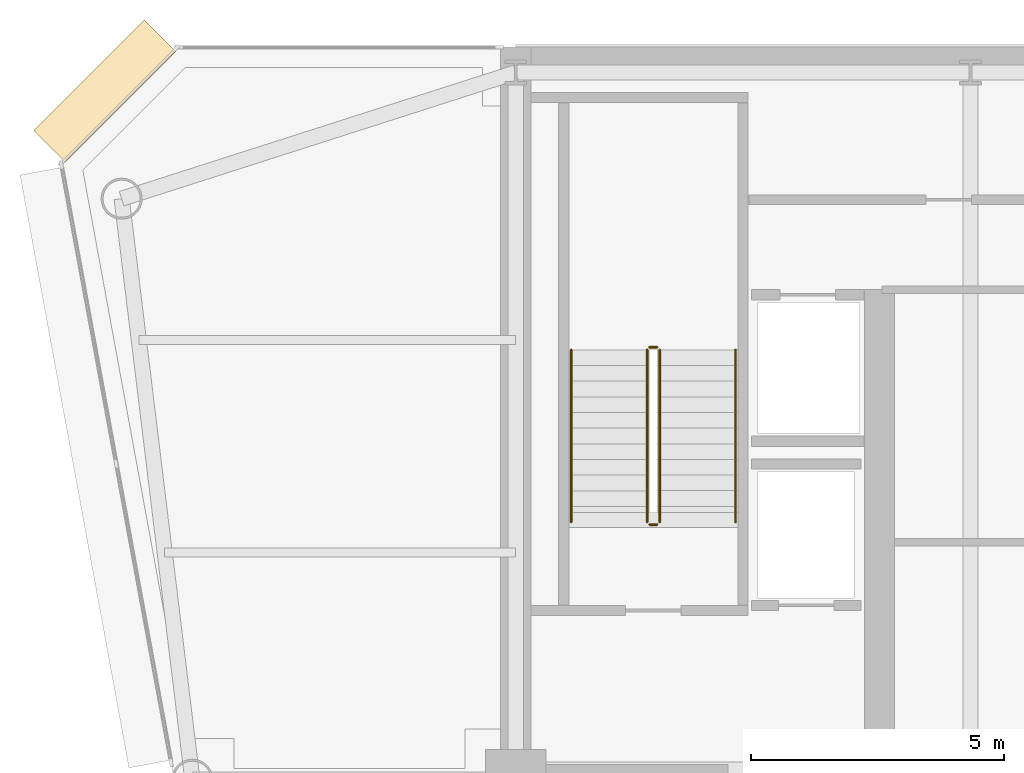
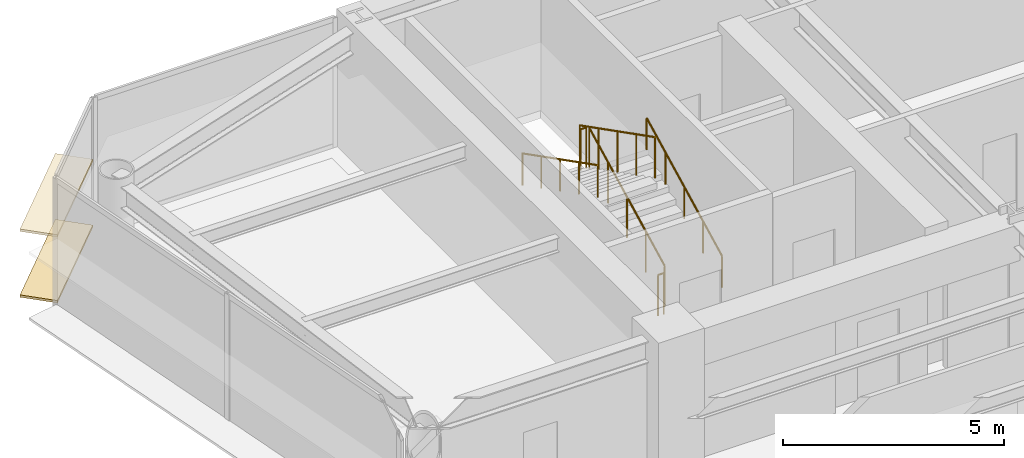
# One storey, part 14 of 16: 6 railings, 2 coverings.
"""IFC4 building model written with IfcOpenShell, lengths in metres."""

from ifc_helpers import new_model, si_unit, direction, frame, origin, origin_2d, place, context, subcontext, project, spatial, rectangle, circle, extrude, source, transform, mapped, material, layer, layer_set, type_object, element, save


model = new_model("IFC4")

# Units and contexts
model_context = context("Model", 3, precision=1e-05, world=origin(), true_north=direction((0.0, 1.0)))
body_context = subcontext(model_context, "Body", "Model", "MODEL_VIEW")
ifc_project = project(units=[si_unit("LENGTHUNIT", "METRE"), si_unit("AREAUNIT", "SQUARE_METRE"), si_unit("VOLUMEUNIT", "CUBIC_METRE"), si_unit("PLANEANGLEUNIT", "RADIAN"), si_unit("MASSUNIT", "GRAM", prefix="KILO")], contexts=[model_context])

# Site, building, storey
site_placement = place(None, origin())
site = spatial("IfcSite", under=ifc_project, at=site_placement, CompositionType="ELEMENT")
building_placement = place(site_placement, origin())
building = spatial("IfcBuilding", under=site, at=building_placement, Name="Vaeldorn Concourse Tower", CompositionType="ELEMENT")
storey_placement = place(building_placement, frame((0.0, 0.0, 195.60009765625)))
storey = spatial("IfcBuildingStorey", under=building, at=storey_placement, Name="L50", CompositionType="ELEMENT", Elevation=195.60009765625)

# Railings
ifc_material = material(Name="Anodised Bronze Aluminium", Category="aluminium")
railing_type_1 = type_object("IfcRailingType", Name="RL-STAIR-GUARD", PredefinedType="GUARDRAIL", material=ifc_material)
railing_1_placement = place(storey_placement, frame((16.85009765625, 41.60009765625, 0.158203125)))
element("IfcRailing", 1, at=railing_1_placement, inside=storey, type_object=railing_type_1, Name="L50 ST-1 stair guard 1", PredefinedType="GUARDRAIL", context=body_context, shape_type="SweptSolid", body=[
    extrude(circle(Radius=0.02392578125, at=origin_2d()), frame((0.0, 0.0, 1.1259765625), z_axis=(0.0, 0.890555807335, 0.454873997962), x_axis=(-1.0, 0.0, 0.0)), (0.0, 0.0, 1.0), 3.828857421875),
    extrude(circle(Radius=0.02099609375, at=origin_2d()), origin(), (0.0, 0.0, 1.0), 1.101806640625),
    extrude(circle(Radius=0.02099609375, at=origin_2d()), frame((0.0, 0.8525390625, 0.435546875)), (0.0, 0.0, 1.0), 1.101806640625),
    extrude(circle(Radius=0.02099609375, at=origin_2d()), frame((0.0, 1.705078125, 0.870849609375)), (0.0, 0.0, 1.0), 1.101806640625),
    extrude(circle(Radius=0.02099609375, at=origin_2d()), frame((0.0, 2.557373046875, 1.30615234375)), (0.0, 0.0, 1.0), 1.101806640625),
    extrude(circle(Radius=0.02099609375, at=origin_2d()), frame((0.0, 3.409912109375, 1.74169921875)), (0.0, 0.0, 1.0), 1.101806640625),
])
railing_2_placement = place(storey_placement, frame((16.800048828125, 45.06005859375, 1.89990234375)))
element("IfcRailing", 2, at=railing_2_placement, inside=storey, type_object=railing_type_1, Name="L50 ST-1 stair guard 2", PredefinedType="GUARDRAIL", context=body_context, shape_type="SweptSolid", body=[
    extrude(circle(Radius=0.02392578125, at=origin_2d()), frame((0.0, 0.0, 1.1259765625), z_axis=(-1.0, 0.0, 0.0), x_axis=(0.0, -1.0, 0.0)), (0.0, 0.0, 1.0), 0.150146484375),
    extrude(circle(Radius=0.02099609375, at=origin_2d()), origin(), (0.0, 0.0, 1.0), 1.101806640625),
    extrude(circle(Radius=0.02099609375, at=origin_2d()), frame((-0.150146484375, 0.0, 0.0)), (0.0, 0.0, 1.0), 1.101806640625),
])
railing_3_placement = place(storey_placement, frame((16.60009765625, 45.010009765625, 2.058349609375)))
element("IfcRailing", 3, at=railing_3_placement, inside=storey, type_object=railing_type_1, Name="L50 ST-1 stair guard 3", PredefinedType="GUARDRAIL", context=body_context, shape_type="SweptSolid", body=[
    extrude(circle(Radius=0.02392578125, at=origin_2d()), frame((0.0, 0.0, 1.1259765625), z_axis=(0.0, -0.890581635807, 0.454823427236), x_axis=(1.0, 0.0, 0.0)), (0.0, 0.0, 1.0), 3.828857421875),
    extrude(circle(Radius=0.02099609375, at=origin_2d()), origin(), (0.0, 0.0, 1.0), 1.101806640625),
    extrude(circle(Radius=0.02099609375, at=origin_2d()), frame((0.0, -0.8525390625, 0.435302734375)), (0.0, 0.0, 1.0), 1.101806640625),
    extrude(circle(Radius=0.02099609375, at=origin_2d()), frame((0.0, -1.705078125, 0.87060546875)), (0.0, 0.0, 1.0), 1.101806640625),
    extrude(circle(Radius=0.02099609375, at=origin_2d()), frame((0.0, -2.557373046875, 1.30615234375)), (0.0, 0.0, 1.0), 1.101806640625),
    extrude(circle(Radius=0.02099609375, at=origin_2d()), frame((0.0, -3.409912109375, 1.741455078125)), (0.0, 0.0, 1.0), 1.101806640625),
])
railing_4_placement = place(storey_placement, frame((16.800048828125, 41.550048828125, 0.0)))
element("IfcRailing", 4, at=railing_4_placement, inside=storey, type_object=railing_type_1, Name="L50 ST-1 stair guard 4", PredefinedType="GUARDRAIL", context=body_context, shape_type="SweptSolid", body=[
    extrude(circle(Radius=0.02392578125, at=origin_2d()), frame((0.0, 0.0, 1.1259765625), z_axis=(-1.0, 0.0, 0.0), x_axis=(0.0, -1.0, 0.0)), (0.0, 0.0, 1.0), 0.150146484375),
    extrude(circle(Radius=0.02099609375, at=origin_2d()), origin(), (0.0, 0.0, 1.0), 1.101806640625),
    extrude(circle(Radius=0.02099609375, at=origin_2d()), frame((-0.150146484375, 0.0, 0.0)), (0.0, 0.0, 1.0), 1.101806640625),
])
railing_type_2 = type_object("IfcRailingType", Name="RL-STAIR-HANDRAIL", PredefinedType="HANDRAIL", material=ifc_material)
railing_5_placement = place(storey_placement, frame((18.35009765625, 41.60009765625, 0.158203125)))
element("IfcRailing", 5, at=railing_5_placement, inside=storey, type_object=railing_type_2, Name="L50 ST-1 stair handrail 1", PredefinedType="HANDRAIL", context=body_context, shape_type="SweptSolid", body=[
    extrude(circle(Radius=0.02392578125, at=origin_2d()), frame((0.0, 0.0, 0.8759765625), z_axis=(0.0, 0.890555807335, 0.454873997962), x_axis=(-1.0, 0.0, 0.0)), (0.0, 0.0, 1.0), 3.828857421875),
    extrude(circle(Radius=0.02099609375, at=origin_2d()), origin(), (0.0, 0.0, 1.0), 0.851806640625),
    extrude(circle(Radius=0.02099609375, at=origin_2d()), frame((0.0, 0.8525390625, 0.435546875)), (0.0, 0.0, 1.0), 0.851806640625),
    extrude(circle(Radius=0.02099609375, at=origin_2d()), frame((0.0, 1.705078125, 0.870849609375)), (0.0, 0.0, 1.0), 0.851806640625),
    extrude(circle(Radius=0.02099609375, at=origin_2d()), frame((0.0, 2.557373046875, 1.30615234375)), (0.0, 0.0, 1.0), 0.851806640625),
    extrude(circle(Radius=0.02099609375, at=origin_2d()), frame((0.0, 3.409912109375, 1.74169921875)), (0.0, 0.0, 1.0), 0.851806640625),
])
railing_6_placement = place(storey_placement, frame((15.10009765625, 45.010009765625, 2.058349609375)))
element("IfcRailing", 6, at=railing_6_placement, inside=storey, type_object=railing_type_2, Name="L50 ST-1 stair handrail 2", PredefinedType="HANDRAIL", context=body_context, shape_type="SweptSolid", body=[
    extrude(circle(Radius=0.02392578125, at=origin_2d()), frame((0.0, 0.0, 0.8759765625), z_axis=(0.0, -0.890581635807, 0.454823427236), x_axis=(1.0, 0.0, 0.0)), (0.0, 0.0, 1.0), 3.828857421875),
    extrude(circle(Radius=0.02099609375, at=origin_2d()), origin(), (0.0, 0.0, 1.0), 0.851806640625),
    extrude(circle(Radius=0.02099609375, at=origin_2d()), frame((0.0, -0.8525390625, 0.435302734375)), (0.0, 0.0, 1.0), 0.851806640625),
    extrude(circle(Radius=0.02099609375, at=origin_2d()), frame((0.0, -1.705078125, 0.87060546875)), (0.0, 0.0, 1.0), 0.851806640625),
    extrude(circle(Radius=0.02099609375, at=origin_2d()), frame((0.0, -2.557373046875, 1.30615234375)), (0.0, 0.0, 1.0), 0.851806640625),
    extrude(circle(Radius=0.02099609375, at=origin_2d()), frame((0.0, -3.409912109375, 1.741455078125)), (0.0, 0.0, 1.0), 0.851806640625),
])

# Coverings
ifc_layer = layer(ifc_material, 0.06494140625)
ifc_layer_set = layer_set([ifc_layer], Name="Anodised Bronze Aluminium")
covering_type = type_object("IfcCoveringType", Name="SD-BRONZE-SUNSHADE", PredefinedType="USERDEFINED", material=ifc_layer_set)
shared_shape = source(origin(), body_context, "Body", "SweptSolid", [
    extrude(rectangle(XDim=3.0927734375, YDim=0.8798828125, at=origin_2d()), origin(), (0.0, 0.0, 1.0), 0.06494140625),
])
for number, where, z_axis, x_axis, name in (
    (7, (5.8671875, 50.1328125, 0.04736328125), (0.0, 0.0, 1.0), (-0.707106781187, -0.707106781187, 0.0), "Horizontal Bronze Sunshade L50-E10.1.1"),
    (8, (5.8671875, 50.1328125, 1.867431640625), (0.0, 0.0, 1.0), (-0.707106781187, -0.707106781187, 0.0), "Horizontal Bronze Sunshade L50-E10.1.2"),
):
    element("IfcCovering", number, at=place(storey_placement, frame(where, z_axis=z_axis, x_axis=x_axis)), inside=storey, type_object=covering_type, Name=name, ObjectType="SUNSHADE", PredefinedType="USERDEFINED", context=body_context, shape_type="MappedRepresentation", body=[
        mapped(shared_shape, transform((0.0, 0.0, 0.0), scale=1.0)),
    ])

save(model, "model.ifc")
